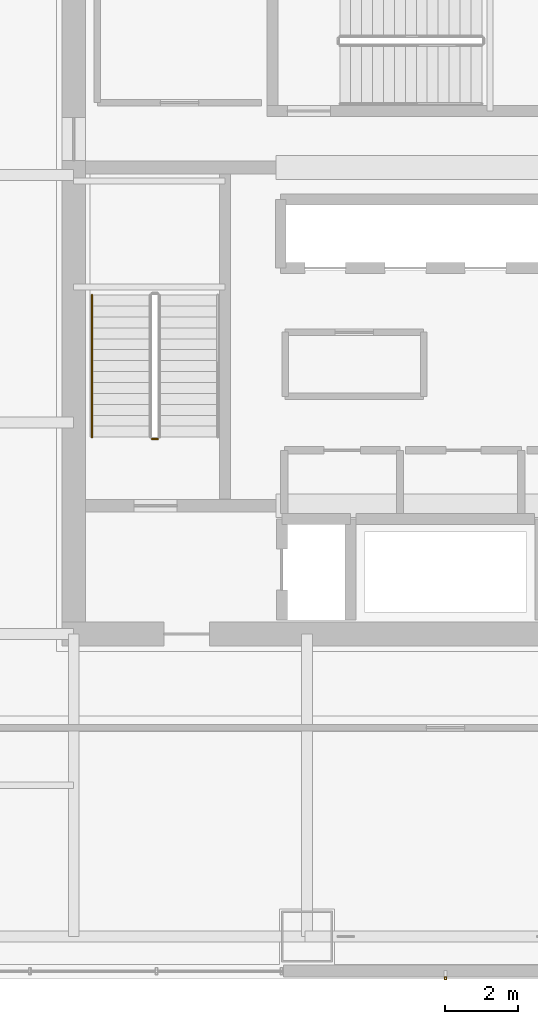
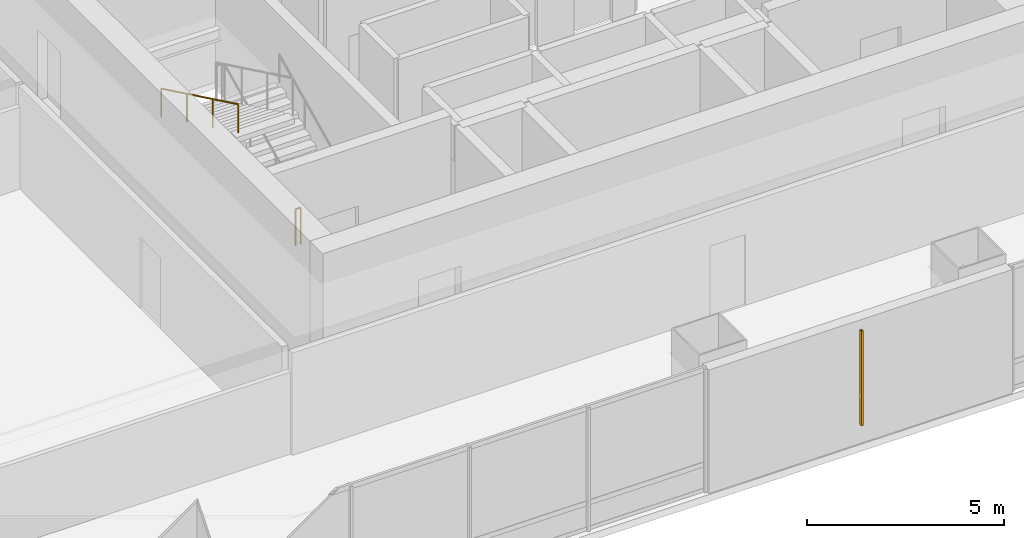
# One storey, part 33 of 38: 2 railings, 1 shading device.
"""IFC4 building model written with IfcOpenShell, lengths in metres."""

import ifcopenshell
import ifcopenshell.guid

model = None  # the IFC model being written
_history = None  # IfcOwnerHistory: only IFC2X3 demands one
_inside = {}  # id of a spatial element -> (the spatial element, [elements in it])
_under = {}  # id of a project, library or spatial element -> (it, [spatial elements below it])
_declared = {}  # id of a project -> (the project, [libraries it declares])
_typed = {}  # id of a type object -> (the type object, [elements of that type])
_made_of = {}  # id of a material, layer set ... -> (it, [elements and type objects made of it])


def new_model(schema):
    """Start an empty IFC model of exactly this schema.

    Asked for "IFC4X3", IfcOpenShell would pick the latest addendum, in which some entities
    have other attributes; the version numbers below select the first issue.
    IFC2X3 requires an IfcOwnerHistory on every rooted entity: one is made here for all.
    """
    global model, _history
    if schema == "IFC4X3":
        model = ifcopenshell.file(schema_version=(4, 3, 0, 0))
    else:
        model = ifcopenshell.file(schema=schema)
    _inside.clear()
    _under.clear()
    _declared.clear()
    _typed.clear()
    _made_of.clear()
    _history = None
    if model.schema == "IFC2X3":
        org = make("IfcOrganization", Name="unknown")
        user = make(
            "IfcPersonAndOrganization",
            ThePerson=make("IfcPerson", FamilyName="unknown"),
            TheOrganization=org,
        )
        app = make(
            "IfcApplication",
            ApplicationDeveloper=org,
            Version="unknown",
            ApplicationFullName="unknown",
            ApplicationIdentifier="unknown",
        )
        _history = make(
            "IfcOwnerHistory",
            OwningUser=user,
            OwningApplication=app,
            ChangeAction="ADDED",
            CreationDate=0,
        )
    return model


def make(cls, **values):
    """One entity of the class cls with the attributes given. An attribute that is None is left unset."""
    return model.create_entity(
        cls, **{name: value for name, value in values.items() if value is not None}
    )


def rooted(cls, **values):
    """An entity with a GlobalId (a new one), such as an element, a storey or a relation."""
    return make(cls, GlobalId=ifcopenshell.guid.new(), OwnerHistory=_history, **values)


def si_unit(unit_type, name, prefix=None):
    """IfcSIUnit, for example si_unit("LENGTHUNIT", "METRE", prefix="MILLI")."""
    return make("IfcSIUnit", UnitType=unit_type, Prefix=prefix, Name=name)


def assignment(units):
    """IfcUnitAssignment: the units of a project."""
    return None if units is None else make("IfcUnitAssignment", Units=units)


def point(xyz):
    """IfcCartesianPoint."""
    return None if xyz is None else make("IfcCartesianPoint", Coordinates=xyz)


def direction(xyz):
    """IfcDirection."""
    return None if xyz is None else make("IfcDirection", DirectionRatios=xyz)


def frame(location, z_axis=None, x_axis=None):
    """IfcAxis2Placement3D, a coordinate frame: its origin and axes. An axis left out is left unset."""
    return make(
        "IfcAxis2Placement3D",
        Location=point(location),
        Axis=direction(z_axis),
        RefDirection=direction(x_axis),
    )


def frame_2d(location, x_axis=None):
    """IfcAxis2Placement2D, a coordinate frame in the plane: its origin and x axis."""
    return make(
        "IfcAxis2Placement2D", Location=point(location), RefDirection=direction(x_axis)
    )


def origin():
    """The frame at (0, 0, 0) with its axes left unset."""
    return frame((0.0, 0.0, 0.0))


def origin_2d():
    """The frame at (0, 0) in the plane with its x axis left unset."""
    return frame_2d((0.0, 0.0))


def place(relative_to, where):
    """IfcLocalPlacement: puts the frame where relative to a parent placement (None: the world)."""
    return make(
        "IfcLocalPlacement", PlacementRelTo=relative_to, RelativePlacement=where
    )


def context(
    kind, dimensions, precision=None, world=None, true_north=None, identifier=None
):
    """IfcGeometricRepresentationContext, for example the 3D "Model" context."""
    return make(
        "IfcGeometricRepresentationContext",
        ContextIdentifier=identifier,
        ContextType=kind,
        CoordinateSpaceDimension=dimensions,
        Precision=precision,
        WorldCoordinateSystem=world,
        TrueNorth=true_north,
    )


def subcontext(parent, identifier, kind, view, scale=None):
    """IfcGeometricRepresentationSubContext, for example "Body" below "Model"."""
    return make(
        "IfcGeometricRepresentationSubContext",
        ContextIdentifier=identifier,
        ContextType=kind,
        ParentContext=parent,
        TargetScale=scale,
        TargetView=view,
    )


def project(units=None, contexts=None):
    """IfcProject with its units and contexts."""
    return rooted(
        "IfcProject",
        Name="project",
        RepresentationContexts=contexts,
        UnitsInContext=assignment(units),
    )


def spatial(cls, under=None, at=None, **own):
    """A site, building, storey or space (cls), placed at a placement, below another one or the project."""
    s = rooted(cls, ObjectPlacement=at, **own)
    if under is not None:
        _under.setdefault(under.id(), (under, []))[1].append(s)
    return s


def profile(cls, at=None, kind="AREA", **sizes):
    """A parametric profile (cls). Its sizes go by their IFC names, for example OverallWidth=200.0."""
    return make(cls, ProfileType=kind, Position=at, **sizes)


def hollow_rectangle(**sizes):
    """IfcRectangleHollowProfileDef."""
    return profile("IfcRectangleHollowProfileDef", **sizes)


def circle(**sizes):
    """IfcCircleProfileDef."""
    return profile("IfcCircleProfileDef", **sizes)


def extrude(swept, where, along, depth):
    """IfcExtrudedAreaSolid: the profile swept, set in the frame where, extruded along a direction by depth."""
    return make(
        "IfcExtrudedAreaSolid",
        SweptArea=swept,
        Position=where,
        ExtrudedDirection=direction(along),
        Depth=depth,
    )


def shape(context_of_items, identifier, shape_type, items):
    """IfcShapeRepresentation: the items that make up one representation, for example the "Body"."""
    return make(
        "IfcShapeRepresentation",
        ContextOfItems=context_of_items,
        RepresentationIdentifier=identifier,
        RepresentationType=shape_type,
        Items=items,
    )


def material(Name=None, Category=None):
    """IfcMaterial."""
    return make("IfcMaterial", Name=Name, Category=Category)


def material_profile(
    of_material, cross_section, Name=None, Category=None, Priority=None
):
    """IfcMaterialProfile: a cross section and its material."""
    return make(
        "IfcMaterialProfile",
        Name=Name,
        Material=of_material,
        Profile=cross_section,
        Priority=Priority,
        Category=Category,
    )


def profile_set(profiles, Name=None, composite=None):
    """IfcMaterialProfileSet."""
    return make(
        "IfcMaterialProfileSet",
        Name=Name,
        MaterialProfiles=profiles,
        CompositeProfile=composite,
    )


def made_of(thing, what):
    """Note that an element or type object is made of a material, layer set ...; save() writes the relation."""
    if what is not None:
        _made_of.setdefault(what.id(), (what, []))[1].append(thing)
    return thing


def type_object(cls, material=None, **own):
    """A type object (cls), such as IfcWallType, which elements share."""
    return made_of(rooted(cls, **own), material)


def element(
    cls,
    number,
    at=None,
    inside=None,
    cuts=None,
    type_object=None,
    material=None,
    context=None,
    identifier="Body",
    shape_type=None,
    held_by="IfcProductDefinitionShape",
    body=None,
    shapes=None,
    **own,
):
    """One element of the class cls, such as IfcWall. Its Tag is "e" and its number.

    at: its placement. inside: the storey or other place that contains it. cuts: it is an
    opening in that element (IfcRelVoidsElement). A single representation is given by context,
    identifier, shape_type and body (its items); several are given by shapes. held_by: the class
    of the entity that holds the representations. save() writes the other relations.
    """
    e = rooted(cls, Tag="e%d" % number, ObjectPlacement=at, **own)
    if body is not None:
        shapes = [shape(context, identifier, shape_type, body)]
    if shapes is not None:
        e.Representation = make(held_by, Representations=shapes)
    if inside is not None:
        _inside.setdefault(inside.id(), (inside, []))[1].append(e)
    if cuts is not None:
        rooted(
            "IfcRelVoidsElement", RelatingBuildingElement=cuts, RelatedOpeningElement=e
        )
    if type_object is not None:
        _typed.setdefault(type_object.id(), (type_object, []))[1].append(e)
    return made_of(e, material)


def aggregate(whole, parts):
    """IfcRelAggregates: a whole, such as a stair, and the parts it consists of."""
    return rooted("IfcRelAggregates", RelatingObject=whole, RelatedObjects=parts)


def save(model, path):
    """Write the relations noted so far, then the file.

    IfcRelAggregates (storeys below a building ...), IfcRelContainedInSpatialStructure (elements
    in a storey), IfcRelDefinesByType, IfcRelAssociatesMaterial and IfcRelDeclares: one each for
    every whole, place, type object, material and project.
    """
    for whole, parts in _under.values():
        aggregate(whole, parts)
    for where, things in _inside.values():
        rooted(
            "IfcRelContainedInSpatialStructure",
            RelatedElements=things,
            RelatingStructure=where,
        )
    for kind, things in _typed.values():
        rooted("IfcRelDefinesByType", RelatedObjects=things, RelatingType=kind)
    for what, things in _made_of.values():
        rooted("IfcRelAssociatesMaterial", RelatedObjects=things, RelatingMaterial=what)
    for by, libraries in _declared.values():
        rooted("IfcRelDeclares", RelatingContext=by, RelatedDefinitions=libraries)
    model.write(path)


model = new_model("IFC4")

# Units and contexts
model_context = context("Model", 3, precision=1e-05, world=origin(), true_north=direction((0.0, 1.0)))
body_context = subcontext(model_context, "Body", "Model", "MODEL_VIEW")
ifc_project = project(units=[si_unit("LENGTHUNIT", "METRE"), si_unit("AREAUNIT", "SQUARE_METRE"), si_unit("VOLUMEUNIT", "CUBIC_METRE"), si_unit("PLANEANGLEUNIT", "RADIAN"), si_unit("MASSUNIT", "GRAM", prefix="KILO")], contexts=[model_context])

# Site, building, storey
site_placement = place(None, origin())
site = spatial("IfcSite", under=ifc_project, at=site_placement, CompositionType="ELEMENT")
building_placement = place(site_placement, origin())
building = spatial("IfcBuilding", under=site, at=building_placement, Name="Punatoya Terracotta Tower", CompositionType="ELEMENT")
storey_placement = place(building_placement, frame((0.0, 0.0, 156.0)))
storey = spatial("IfcBuildingStorey", under=building, at=storey_placement, Name="L36", CompositionType="ELEMENT", Elevation=156.0)

# Railings
ifc_material_1 = material(Name="Steel S355", Category="steel")
railing_type_1 = type_object("IfcRailingType", Name="RLG-GRD-1150", PredefinedType="GUARDRAIL", material=ifc_material_1)
railing_1_placement = place(storey_placement, frame((-7.89990234375, -3.85009765625, 0.0)))
element("IfcRailing", 1, at=railing_1_placement, inside=storey, type_object=railing_type_1, Name="L36 ST-1 stair guard 4", PredefinedType="GUARDRAIL", context=body_context, shape_type="SweptSolid", body=[
    extrude(circle(Radius=0.02392578125, at=origin_2d()), frame((0.0, 0.0, 1.1259765625), z_axis=(-1.0, 0.0, 0.0), x_axis=(0.0, -1.0, 0.0)), (0.0, 0.0, 1.0), 0.150146484375),
    extrude(circle(Radius=0.02099609375, at=origin_2d()), origin(), (0.0, 0.0, 1.0), 1.101806640625),
    extrude(circle(Radius=0.02099609375, at=origin_2d()), frame((-0.150146484375, 0.0, 0.0)), (0.0, 0.0, 1.0), 1.101806640625),
])
railing_type_2 = type_object("IfcRailingType", Name="RLG-HND-900", PredefinedType="HANDRAIL", material=ifc_material_1)
railing_2_placement = place(storey_placement, frame((-9.699951171875, 0.10009765625, 2.169677734375)))
element("IfcRailing", 2, at=railing_2_placement, inside=storey, type_object=railing_type_2, Name="L36 ST-1 stair handrail 2", PredefinedType="HANDRAIL", context=body_context, shape_type="SweptSolid", body=[
    extrude(circle(Radius=0.02392578125, at=origin_2d()), frame((0.0, 0.0, 0.8759765625), z_axis=(0.0, -0.900773802044, 0.434288564841), x_axis=(1.0, 0.0, 0.0)), (0.0, 0.0, 1.0), 4.329833984375),
    extrude(circle(Radius=0.02099609375, at=origin_2d()), origin(), (0.0, 0.0, 1.0), 0.851806640625),
    extrude(circle(Radius=0.02099609375, at=origin_2d()), frame((0.0, -1.300048828125, 0.626708984375)), (0.0, 0.0, 1.0), 0.851806640625),
    extrude(circle(Radius=0.02099609375, at=origin_2d()), frame((0.0, -2.60009765625, 1.253662109375)), (0.0, 0.0, 1.0), 0.851806640625),
    extrude(circle(Radius=0.02099609375, at=origin_2d()), frame((0.0, -3.900146484375, 1.88037109375)), (0.0, 0.0, 1.0), 0.851806640625),
])

# Shading device
ifc_material_2 = material(Name="Architectural Fired Terracotta", Category="masonry")
ifc_material_profile = material_profile(ifc_material_2, hollow_rectangle(XDim=0.06005859375, YDim=0.090087890625, WallThickness=0.013916015625, at=origin_2d()))
ifc_profile_set = profile_set([ifc_material_profile], Name="Architectural Fired Terracotta")
shading_device_type = type_object("IfcShadingDeviceType", Name="SHD-JALI-90", PredefinedType="JALOUSIE", material=ifc_profile_set)
shading_device_placement = place(storey_placement, frame((0.0, -18.64990234375, 0.60009765625), z_axis=(0.0, 0.0, 1.0), x_axis=(1.0, 0.0, 0.0)))
element("IfcShadingDevice", 3, at=shading_device_placement, inside=storey, type_object=shading_device_type, Name="L36 Braced Bay Terracotta Jali Fin S1", PredefinedType="JALOUSIE", context=body_context, shape_type="SweptSolid", body=[
    extrude(hollow_rectangle(XDim=0.06005859375, YDim=0.090087890625, WallThickness=0.013916015625, at=origin_2d()), origin(), (0.0, 0.0, 1.0), 2.929931640625),
])

save(model, "model.ifc")
